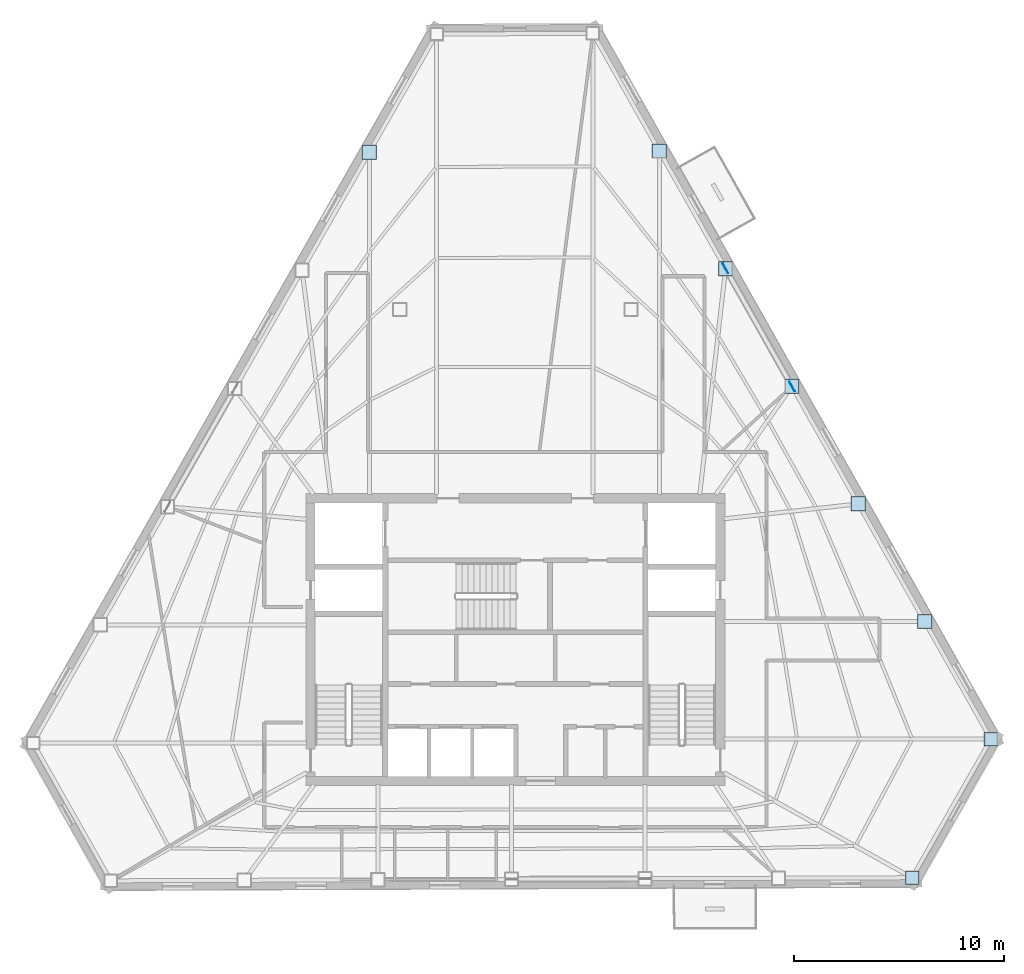
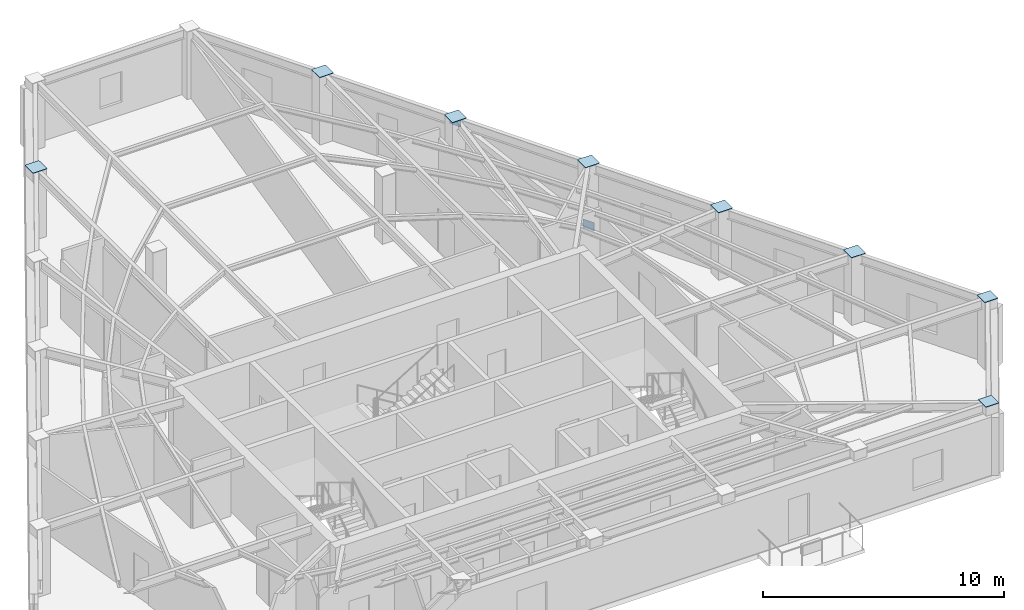
# One storey, part 5 of 10: 10 plates.
"""IFC4 building model written with IfcOpenShell, lengths in metres."""

from ifc_helpers import new_model, si_unit, direction, frame, origin, origin_2d, place, context, subcontext, project, spatial, rectangle, extrude, material, layer, layer_set, type_object, element, save


model = new_model("IFC4")

# Units and contexts
model_context = context("Model", 3, precision=1e-05, world=origin(), true_north=direction((0.0, 1.0)))
body_context = subcontext(model_context, "Body", "Model", "MODEL_VIEW")
ifc_project = project(units=[si_unit("LENGTHUNIT", "METRE"), si_unit("AREAUNIT", "SQUARE_METRE"), si_unit("VOLUMEUNIT", "CUBIC_METRE"), si_unit("PLANEANGLEUNIT", "RADIAN"), si_unit("MASSUNIT", "GRAM", prefix="KILO")], contexts=[model_context])

# Site, building, storey
site_placement = place(None, origin())
site = spatial("IfcSite", under=ifc_project, at=site_placement, CompositionType="ELEMENT")
building_placement = place(site_placement, origin())
building = spatial("IfcBuilding", under=site, at=building_placement, Name="Kavelnor Concourse Tower", CompositionType="ELEMENT")
storey_placement = place(building_placement, frame((0.0, 0.0, 230.449951171875)))
storey = spatial("IfcBuildingStorey", under=building, at=storey_placement, Name="L58", CompositionType="ELEMENT", Elevation=230.449951171875)

# Plates
ifc_material = material(Name="Steel Grade 350", Category="steel")
ifc_layer_1 = layer(ifc_material, 0.031982421875, Name="Steel Grade 350")
ifc_layer_set_1 = layer_set([ifc_layer_1], Name="Steel Grade 350")
plate_type_1 = type_object("IfcPlateType", Name="PL-GUSSET-TUBE-Z1", PredefinedType="USERDEFINED", material=ifc_layer_set_1)
for number, where, z_axis, x_axis, name in (
    (1, (51.16015625, 28.137939453125, 0.010009765625), (0.0, 0.0, 1.0), (-0.491359852787, 0.870956655104, 0.0), "L58 Tube Brace Gusset GP3 F2-B3 End Gusset A"),
    (2, (47.993408203125, 33.752197265625, 2.989990234375), (0.0, 0.0, 1.0), (-0.491359852787, 0.870956655104, 0.0), "L58 Tube Brace Gusset GP3 F2-B3 End Gusset B"),
):
    element("IfcPlate", number, at=place(storey_placement, frame(where, z_axis=z_axis, x_axis=x_axis)), inside=storey, type_object=plate_type_1, Name=name, ObjectType="GUSSET_PLATE", PredefinedType="USERDEFINED", context=body_context, shape_type="SweptSolid", body=[
        extrude(rectangle(XDim=0.52001953125, YDim=0.031982421875, at=origin_2d()), origin(), (0.0, 0.0, 1.0), 0.419921875),
    ])
ifc_layer_2 = layer(ifc_material, 0.02490234375, Name="Steel Grade 350")
ifc_layer_set_2 = layer_set([ifc_layer_2], Name="Steel Grade 350")
plate_type_2 = type_object("IfcPlateType", Name="PL-SPLICE-FLANGE", PredefinedType="SHEET", material=ifc_layer_set_2)
plate_placement = place(storey_placement, frame((31.057861328125, 39.27978515625, 3.427001953125), z_axis=(0.0, 0.0, 1.0), x_axis=(1.0, 0.0, 0.0)))
element("IfcPlate", 3, at=plate_placement, inside=storey, type_object=plate_type_2, Name="L58 Column Top Cap Plate F0-B1", PredefinedType="SHEET", context=body_context, shape_type="SweptSolid", body=[
    extrude(rectangle(XDim=0.679931640625, YDim=0.679931640625, at=origin_2d()), origin(), (0.0, 0.0, 1.0), 0.02490234375),
])
for number, where, z_axis, x_axis, name in (
    (4, (56.867431640625, 4.778564453125, 3.427001953125), (0.0, 0.0, 1.0), (1.0, 0.0, 0.0), "L58 Column Top Cap Plate F1-B6"),
    (5, (60.618896484375, 11.368896484375, 3.427001953125), (0.0, 0.0, 1.0), (1.0, 0.0, 0.0), "L58 Column Top Cap Plate F2-B0"),
):
    element("IfcPlate", number, at=place(storey_placement, frame(where, z_axis=z_axis, x_axis=x_axis)), inside=storey, type_object=plate_type_2, Name=name, PredefinedType="SHEET", context=body_context, shape_type="SweptSolid", body=[
        extrude(rectangle(XDim=0.639892578125, YDim=0.639892578125, at=origin_2d()), origin(), (0.0, 0.0, 1.0), 0.02490234375),
    ])
for number, where, z_axis, x_axis, name in (
    (6, (57.464111328125, 16.9619140625, 3.427001953125), (0.0, 0.0, 1.0), (1.0, 0.0, 0.0), "L58 Column Top Cap Plate F2-B1"),
    (7, (54.30908203125, 22.55517578125, 3.427001953125), (0.0, 0.0, 1.0), (1.0, 0.0, 0.0), "L58 Column Top Cap Plate F2-B2"),
    (8, (51.154296875, 28.1484375, 3.427001953125), (0.0, 0.0, 1.0), (1.0, 0.0, 0.0), "L58 Column Top Cap Plate F2-B3"),
    (9, (47.999267578125, 33.74169921875, 3.427001953125), (0.0, 0.0, 1.0), (1.0, 0.0, 0.0), "L58 Column Top Cap Plate F2-B4"),
    (10, (44.844482421875, 39.334716796875, 3.427001953125), (0.0, 0.0, 1.0), (1.0, 0.0, 0.0), "L58 Column Top Cap Plate F2-B5"),
):
    element("IfcPlate", number, at=place(storey_placement, frame(where, z_axis=z_axis, x_axis=x_axis)), inside=storey, type_object=plate_type_2, Name=name, PredefinedType="SHEET", context=body_context, shape_type="SweptSolid", body=[
        extrude(rectangle(XDim=0.679931640625, YDim=0.679931640625, at=origin_2d()), origin(), (0.0, 0.0, 1.0), 0.02490234375),
    ])

save(model, "model.ifc")
